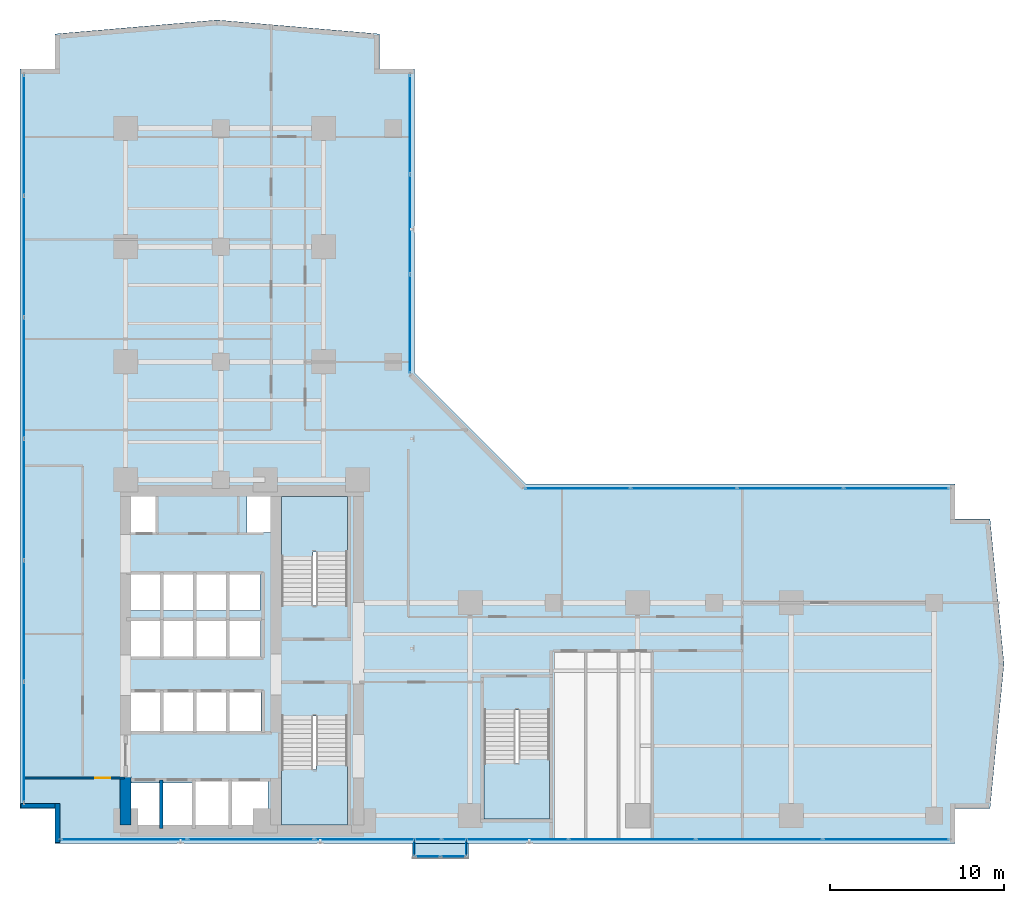
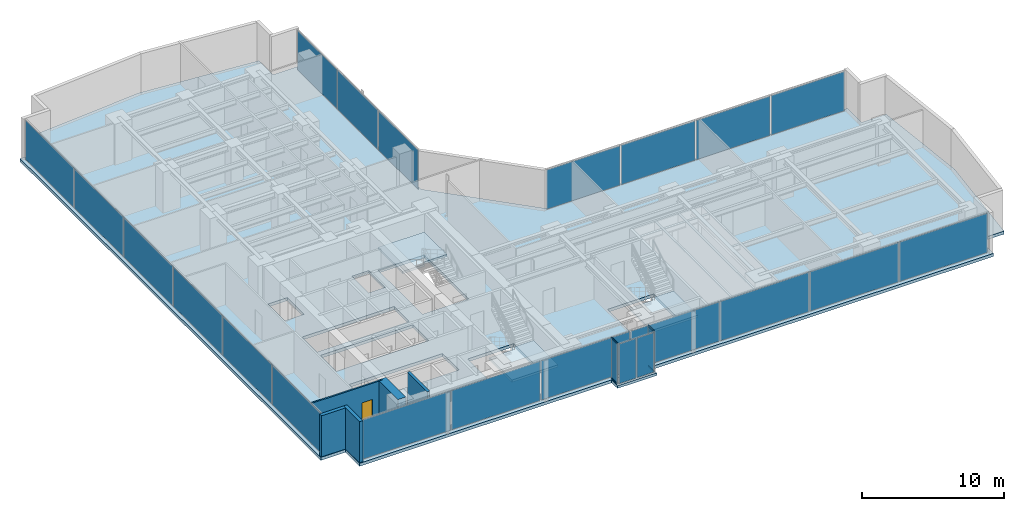
# One storey, part 18 of 24: 24 plates, 5 slabs, 5 walls, 4 members, 1 door, 1 opening, 10 elements without a shape of their own.
"""IFC4 building model written with IfcOpenShell, lengths in metres."""

from ifc_helpers import new_model, si_unit, direction, frame, frame_2d, origin, origin_with_axes, origin_2d, place, context, subcontext, project, spatial, polyline, rectangle, hollow_rectangle, outline, extrude, source, transform, mapped, material, layer, layer_set, material_profile, profile_set, type_object, element, fill, aggregate, save


model = new_model("IFC4")

# Units and contexts
model_context = context("Model", 3, precision=1e-05, world=origin(), true_north=direction((0.0, 1.0)))
body_context = subcontext(model_context, "Body", "Model", "MODEL_VIEW")
ifc_project = project(units=[si_unit("LENGTHUNIT", "METRE"), si_unit("AREAUNIT", "SQUARE_METRE"), si_unit("VOLUMEUNIT", "CUBIC_METRE"), si_unit("PLANEANGLEUNIT", "RADIAN"), si_unit("MASSUNIT", "GRAM", prefix="KILO")], contexts=[model_context])

# Site, building, storey
site_placement = place(None, origin())
site = spatial("IfcSite", under=ifc_project, at=site_placement, CompositionType="ELEMENT")
building_placement = place(site_placement, origin())
building = spatial("IfcBuilding", under=site, at=building_placement, Name="Kolvaren Waterfront Exchange", CompositionType="ELEMENT")
storey_placement = place(building_placement, frame((0.0, 0.0, 91.699951171875)))
storey = spatial("IfcBuildingStorey", under=building, at=storey_placement, Name="L23", CompositionType="ELEMENT", Elevation=91.699951171875)

# Curtain wall, members
ifc_material_1 = material(Name="Anodised bronze aluminium 6063-T6", Category="aluminium")
ifc_layer_1 = layer(ifc_material_1, 0.219970703125, Name="Anodised bronze aluminium 6063-T6")
ifc_layer_set_1 = layer_set([ifc_layer_1], Name="Anodised bronze aluminium 6063-T6")
curtain_wall_type_1 = type_object("IfcCurtainWallType", Name="ARC-CW-SYS3", PredefinedType="USERDEFINED", material=ifc_layer_set_1)
curtain_wall_1_placement = place(storey_placement, origin())
curtain_wall_1 = element("IfcCurtainWall", 1, at=curtain_wall_1_placement, inside=storey, type_object=curtain_wall_type_1, Name="L23 stick curtain wall CW3 (CW-L23-BOX-W)", ObjectType="STICK CURTAIN WALL", PredefinedType="USERDEFINED")
ifc_material_profile = material_profile(ifc_material_1, hollow_rectangle(XDim=0.06494140625, YDim=0.1298828125, WallThickness=0.00390625, at=origin_2d()), Name="ALU-TRN-130x65x4")
ifc_profile_set = profile_set([ifc_material_profile], Name="Anodised bronze aluminium 6063-T6")
member_type = type_object("IfcMemberType", Name="ARC-CWT-130", PredefinedType="USERDEFINED", material=ifc_profile_set)
shared_shape_1 = source(origin_with_axes(), body_context, "Body", "SweptSolid", [
    extrude(hollow_rectangle(XDim=0.06494140625, YDim=0.1298828125, WallThickness=0.00390625, at=origin_2d()), origin(), (0.0, 0.0, 1.0), 0.829833984375),
])
member_1_placement = place(storey_placement, frame((24.010009765625, 3.764892578125, 0.032470703125), z_axis=(0.0, -1.0, 0.0), x_axis=(1.0, 0.0, 0.0)))
member_1 = element("IfcMember", 2, at=member_1_placement, type_object=member_type, Name="CW3 transom 1.1", ObjectType="TRANSOM", PredefinedType="USERDEFINED", context=body_context, shape_type="MappedRepresentation", body=[
    mapped(shared_shape_1, transform((0.0, 0.0, 0.0), x_axis=(1.0, 0.0, 0.0), y_axis=(0.0, 1.0, 0.0), z_axis=(0.0, 0.0, 1.0), scale=1.0)),
])
member_2_placement = place(storey_placement, frame((24.010009765625, 3.764892578125, 3.507568359375), z_axis=(0.0, -1.0, 0.0), x_axis=(1.0, 0.0, 0.0)))
member_2 = element("IfcMember", 3, at=member_2_placement, type_object=member_type, Name="CW3 transom 1.2", ObjectType="TRANSOM", PredefinedType="USERDEFINED", context=body_context, shape_type="MappedRepresentation", body=[
    mapped(shared_shape_1, transform((0.0, 0.0, 0.0), x_axis=(1.0, 0.0, 0.0), y_axis=(0.0, 1.0, 0.0), z_axis=(0.0, 0.0, 1.0), scale=1.0)),
])

curtain_wall_2_placement = place(storey_placement, origin())
curtain_wall_2 = element("IfcCurtainWall", 4, at=curtain_wall_2_placement, inside=storey, type_object=curtain_wall_type_1, Name="L23 stick curtain wall CW3 (CW-L23-BOX-E)", ObjectType="STICK CURTAIN WALL", PredefinedType="USERDEFINED")
member_3_placement = place(storey_placement, frame((26.989990234375, 2.93505859375, 0.032470703125), z_axis=(0.0, 1.0, 0.0), x_axis=(-1.0, 0.0, 0.0)))
member_3 = element("IfcMember", 5, at=member_3_placement, type_object=member_type, Name="CW3 transom 1.1", ObjectType="TRANSOM", PredefinedType="USERDEFINED", context=body_context, shape_type="MappedRepresentation", body=[
    mapped(shared_shape_1, transform((0.0, 0.0, 0.0), x_axis=(1.0, 0.0, 0.0), y_axis=(0.0, 1.0, 0.0), z_axis=(0.0, 0.0, 1.0), scale=1.0)),
])
member_4_placement = place(storey_placement, frame((26.989990234375, 2.93505859375, 3.507568359375), z_axis=(0.0, 1.0, 0.0), x_axis=(-1.0, 0.0, 0.0)))
member_4 = element("IfcMember", 6, at=member_4_placement, type_object=member_type, Name="CW3 transom 1.2", ObjectType="TRANSOM", PredefinedType="USERDEFINED", context=body_context, shape_type="MappedRepresentation", body=[
    mapped(shared_shape_1, transform((0.0, 0.0, 0.0), x_axis=(1.0, 0.0, 0.0), y_axis=(0.0, 1.0, 0.0), z_axis=(0.0, 0.0, 1.0), scale=1.0)),
])

# Stair, slab
ifc_material_2 = material(Name="Concrete C40/50", Category="concrete")
stair_type = type_object("IfcStairType", Name="ARC-STAIR-3800", PredefinedType="HALF_TURN_STAIR", material=ifc_material_2)
stair_1_placement = place(storey_placement, origin())
stair_1 = element("IfcStair", 7, at=stair_1_placement, inside=storey, type_object=stair_type, Name="L23 Smoke-proof exit stair ST1", PredefinedType="HALF_TURN_STAIR")
ifc_layer_2 = layer(ifc_material_2, 0.199951171875, Name="Concrete C40/50")
ifc_layer_set_2 = layer_set([ifc_layer_2], Name="Concrete C40/50")
slab_type_1 = type_object("IfcSlabType", Name="STR-LANDING-200", PredefinedType="LANDING", material=ifc_layer_set_2)
slab_1_placement = place(storey_placement, frame((0.0, 0.0, 1.776123046875)))
slab_1 = element("IfcSlab", 8, at=slab_1_placement, type_object=slab_type_1, Name="ST1 landing 1", PredefinedType="LANDING", context=body_context, shape_type="SweptSolid", body=[
    extrude(outline(polyline([(16.39990234375, 7.840087890625), (16.39990234375, 4.64990234375), (20.159912109375, 4.64990234375), (20.159912109375, 8.10009765625), (18.360107421875, 8.10009765625), (18.360107421875, 7.840087890625), (16.39990234375, 7.840087890625)])), origin(), (0.0, 0.0, 1.0), 0.199951171875),
])
aggregate(stair_1, [slab_1])

stair_2_placement = place(storey_placement, origin())
stair_2 = element("IfcStair", 9, at=stair_2_placement, inside=storey, type_object=stair_type, Name="L23 Smoke-proof exit stair ST2", PredefinedType="HALF_TURN_STAIR")
slab_2_placement = place(storey_placement, frame((0.0, 0.0, 1.776123046875)))
slab_2 = element("IfcSlab", 10, at=slab_2_placement, type_object=slab_type_1, Name="ST2 landing 1", PredefinedType="LANDING", context=body_context, shape_type="SweptSolid", body=[
    extrude(outline(polyline([(20.159912109375, 20.31005859375), (20.159912109375, 23.5), (16.39990234375, 23.5), (16.39990234375, 20.050048828125), (18.199951171875, 20.050048828125), (18.199951171875, 20.31005859375), (20.159912109375, 20.31005859375)])), origin(), (0.0, 0.0, 1.0), 0.199951171875),
])
aggregate(stair_2, [slab_2])

stair_3_placement = place(storey_placement, origin())
stair_3 = element("IfcStair", 11, at=stair_3_placement, inside=storey, type_object=stair_type, Name="L23 Exit stair ST3", PredefinedType="HALF_TURN_STAIR")
slab_3_placement = place(storey_placement, frame((0.0, 0.0, 1.776123046875)))
slab_3 = element("IfcSlab", 12, at=slab_3_placement, type_object=slab_type_1, Name="ST3 landing 1", PredefinedType="LANDING", context=body_context, shape_type="SweptSolid", body=[
    extrude(outline(polyline([(28.0, 8.18994140625), (28.0, 5.0), (31.760009765625, 5.0), (31.760009765625, 8.449951171875), (29.9599609375, 8.449951171875), (29.9599609375, 8.18994140625), (28.0, 8.18994140625)])), origin(), (0.0, 0.0, 1.0), 0.199951171875),
])
aggregate(stair_3, [slab_3])

# Slabs
ifc_layer_3 = layer(ifc_material_2, 0.260009765625, Name="Concrete C40/50")
ifc_layer_set_3 = layer_set([ifc_layer_3], Name="Concrete C40/50")
slab_type_2 = type_object("IfcSlabType", Name="STR-SLAB-260", PredefinedType="FLOOR", material=ifc_layer_set_3)
slab_4_placement = place(storey_placement, frame((0.0, 0.0, -0.260009765625)))
element("IfcSlab", 13, at=slab_4_placement, inside=storey, type_object=slab_type_2, Name="L23 structural floor slab", PredefinedType="FLOOR", context=body_context, shape_type="SweptSolid", body=[
    extrude(outline(polyline([(3.39990234375, 3.60009765625), (55.0, 3.60009765625), (55.0, 5.60009765625), (57.0, 5.60009765625), (57.800048828125, 13.89990234375), (57.0, 22.199951171875), (55.0, 22.199951171875), (55.0, 24.199951171875), (30.39990234375, 24.199951171875), (24.0, 30.60009765625), (24.0, 48.0), (22.0, 48.0), (22.0, 50.0), (12.699951171875, 50.800048828125), (3.39990234375, 50.0), (3.39990234375, 48.0), (1.39990234375, 48.0), (1.39990234375, 5.60009765625), (3.39990234375, 5.60009765625), (3.39990234375, 3.60009765625)]), holes=[polyline([(11.320068359375, 7.260009765625), (15.610107421875, 7.260009765625), (15.610107421875, 4.5400390625), (7.719970703125, 4.5400390625), (7.719970703125, 7.06005859375), (11.320068359375, 7.06005859375), (11.320068359375, 7.260009765625)]), polyline([(20.159912109375, 4.64990234375), (16.39990234375, 4.64990234375), (16.39990234375, 10.89990234375), (20.159912109375, 10.89990234375), (20.159912109375, 4.64990234375)]), polyline([(31.760009765625, 5.0), (28.0, 5.0), (28.0, 11.25), (31.760009765625, 11.25), (31.760009765625, 5.0)]), polyline([(15.2099609375, 10.0400390625), (7.6201171875, 10.0400390625), (7.6201171875, 12.360107421875), (15.2099609375, 12.360107421875), (15.2099609375, 10.0400390625)]), polyline([(7.64501953125, 16.4599609375), (15.18505859375, 16.4599609375), (15.18505859375, 14.239990234375), (7.64501953125, 14.239990234375), (7.64501953125, 16.4599609375)]), polyline([(15.159912109375, 16.93994140625), (7.669921875, 16.93994140625), (7.669921875, 19.06005859375), (15.159912109375, 19.06005859375), (15.159912109375, 16.93994140625)]), polyline([(16.39990234375, 23.5), (20.159912109375, 23.5), (20.159912109375, 17.25), (16.39990234375, 17.25), (16.39990234375, 23.5)]), polyline([(7.60009765625, 23.780029296875), (9.179931640625, 23.780029296875), (9.179931640625, 21.419921875), (7.60009765625, 21.419921875), (7.60009765625, 23.780029296875)]), polyline([(15.800048828125, 23.780029296875), (15.800048828125, 21.419921875), (14.419921875, 21.419921875), (14.419921875, 23.780029296875), (15.800048828125, 23.780029296875)])]), origin(), (0.0, 0.0, 1.0), 0.260009765625),
])
ifc_layer_4 = layer(ifc_material_2, 0.219970703125, Name="Concrete C40/50")
ifc_layer_set_4 = layer_set([ifc_layer_4], Name="Concrete C40/50")
slab_type_3 = type_object("IfcSlabType", Name="STR-TERR-220", PredefinedType="FLOOR", material=ifc_layer_set_4)
slab_5_placement = place(storey_placement, frame((0.0, 0.0, -0.219970703125)))
element("IfcSlab", 14, at=slab_5_placement, inside=storey, type_object=slab_type_3, Name="L23 projecting bay-box floor strip", PredefinedType="FLOOR", context=body_context, shape_type="SweptSolid", body=[
    extrude(outline(polyline([(23.89990234375, 2.75), (27.10009765625, 2.75), (27.10009765625, 3.60009765625), (23.89990234375, 3.60009765625), (23.89990234375, 2.75)])), origin(), (0.0, 0.0, 1.0), 0.219970703125),
])

# Plate
ifc_material_3 = material(Name="Bronze tinted bay-box vision glass", Category="aluminium")
ifc_layer_5 = layer(ifc_material_3, 0.02392578125, Name="Bronze tinted bay-box vision glass")
ifc_layer_set_5 = layer_set([ifc_layer_5], Name="Bronze tinted bay-box vision glass")
plate_type_1 = type_object("IfcPlateType", Name="ARC-CWP-24", PredefinedType="CURTAIN_PANEL", material=ifc_layer_set_5)
shared_shape_2 = source(origin_with_axes(), body_context, "Body", "SweptSolid", [
    extrude(rectangle(XDim=0.830078125, YDim=0.02392578125, at=origin_2d()), origin(), (0.0, 0.0, 1.0), 3.409912109375),
])
plate_1_placement = place(storey_placement, frame((24.010009765625, 3.35009765625, 0.06494140625), z_axis=(0.0, 0.0, 1.0), x_axis=(0.0, -1.0, 0.0)))
plate_1 = element("IfcPlate", 15, at=plate_1_placement, type_object=plate_type_1, Name="CW3 panel 1.1", PredefinedType="CURTAIN_PANEL", context=body_context, shape_type="MappedRepresentation", body=[
    mapped(shared_shape_2, transform((0.0, 0.0, 0.0), x_axis=(1.0, 0.0, 0.0), y_axis=(0.0, 1.0, 0.0), z_axis=(0.0, 0.0, 1.0), scale=1.0)),
])

aggregate(curtain_wall_1, [member_1, member_2, plate_1])

plate_2_placement = place(storey_placement, frame((26.989990234375, 3.35009765625, 0.06494140625), z_axis=(0.0, 0.0, 1.0), x_axis=(0.0, 1.0, 0.0)))
plate_2 = element("IfcPlate", 16, at=plate_2_placement, type_object=plate_type_1, Name="CW3 panel 1.1", PredefinedType="CURTAIN_PANEL", context=body_context, shape_type="MappedRepresentation", body=[
    mapped(shared_shape_2, transform((0.0, 0.0, 0.0), x_axis=(1.0, 0.0, 0.0), y_axis=(0.0, 1.0, 0.0), z_axis=(0.0, 0.0, 1.0), scale=1.0)),
])

aggregate(curtain_wall_2, [member_3, member_4, plate_2])

# Curtain wall, plates
curtain_wall_3_placement = place(storey_placement, origin())
curtain_wall_3 = element("IfcCurtainWall", 17, at=curtain_wall_3_placement, inside=storey, type_object=curtain_wall_type_1, Name="L23 stick curtain wall CW3 (CW-L23-BOX)", ObjectType="STICK CURTAIN WALL", PredefinedType="USERDEFINED")
shared_shape_3 = source(origin_with_axes(), body_context, "Body", "SweptSolid", [
    extrude(rectangle(XDim=1.37744140625, YDim=0.02392578125, at=origin_2d()), origin(), (0.0, 0.0, 1.0), 3.409912109375),
])
plate_3_placement = place(storey_placement, frame((24.773681640625, 2.860107421875, 0.06494140625), z_axis=(0.0, 0.0, 1.0), x_axis=(1.0, 0.0, 0.0)))
plate_3 = element("IfcPlate", 18, at=plate_3_placement, type_object=plate_type_1, Name="CW3 panel 1.1", PredefinedType="CURTAIN_PANEL", context=body_context, shape_type="MappedRepresentation", body=[
    mapped(shared_shape_3, transform((0.0, 0.0, 0.0), x_axis=(1.0, 0.0, 0.0), y_axis=(0.0, 1.0, 0.0), z_axis=(0.0, 0.0, 1.0), scale=1.0)),
])
plate_4_placement = place(storey_placement, frame((26.226318359375, 2.860107421875, 0.06494140625), z_axis=(0.0, 0.0, 1.0), x_axis=(1.0, 0.0, 0.0)))
plate_4 = element("IfcPlate", 19, at=plate_4_placement, type_object=plate_type_1, Name="CW3 panel 2.1", PredefinedType="CURTAIN_PANEL", context=body_context, shape_type="MappedRepresentation", body=[
    mapped(shared_shape_3, transform((0.0, 0.0, 0.0), x_axis=(1.0, 0.0, 0.0), y_axis=(0.0, 1.0, 0.0), z_axis=(0.0, 0.0, 1.0), scale=1.0)),
])
aggregate(curtain_wall_3, [plate_3, plate_4])

ifc_material_4 = material(Name="Anodised aluminium 6063-T6", Category="aluminium")
ifc_layer_6 = layer(ifc_material_4, 0.219970703125, Name="Anodised aluminium 6063-T6")
ifc_layer_set_6 = layer_set([ifc_layer_6], Name="Anodised aluminium 6063-T6")
curtain_wall_type_2 = type_object("IfcCurtainWallType", Name="ARC-CW-SYS2", PredefinedType="USERDEFINED", material=ifc_layer_set_6)
curtain_wall_4_placement = place(storey_placement, origin())
curtain_wall_4 = element("IfcCurtainWall", 20, at=curtain_wall_4_placement, inside=storey, type_object=curtain_wall_type_2, Name="L23 stick curtain wall CW2 (CW-L23-W)", ObjectType="STICK CURTAIN WALL", PredefinedType="USERDEFINED")
ifc_material_5 = material(Name="Acoustic laminated vision glass", Category="glass")
ifc_layer_7 = layer(ifc_material_5, 0.031982421875, Name="Acoustic laminated vision glass")
ifc_layer_set_7 = layer_set([ifc_layer_7], Name="Acoustic laminated vision glass")
plate_type_2 = type_object("IfcPlateType", Name="ARC-CWP-32", PredefinedType="CURTAIN_PANEL", material=ifc_layer_set_7)
shared_shape_4 = source(origin_with_axes(), body_context, "Body", "SweptSolid", [
    extrude(rectangle(XDim=6.8466796875, YDim=0.031982421875, at=origin_2d()), origin(), (0.0, 0.0, 1.0), 3.389892578125),
])
plate_5_placement = place(storey_placement, frame((1.639892578125, 9.4033203125, 0.0751953125), z_axis=(0.0, 0.0, 1.0), x_axis=(0.0, 1.0, 0.0)))
plate_5 = element("IfcPlate", 21, at=plate_5_placement, type_object=plate_type_2, Name="CW2 panel 1.1", PredefinedType="CURTAIN_PANEL", context=body_context, shape_type="MappedRepresentation", body=[
    mapped(shared_shape_4, transform((0.0, 0.0, 0.0), x_axis=(1.0, 0.0, 0.0), y_axis=(0.0, 1.0, 0.0), z_axis=(0.0, 0.0, 1.0), scale=1.0)),
])
plate_6_placement = place(storey_placement, frame((1.639892578125, 44.19677734375, 0.0751953125), z_axis=(0.0, 0.0, 1.0), x_axis=(0.0, 1.0, 0.0)))
plate_6 = element("IfcPlate", 22, at=plate_6_placement, type_object=plate_type_2, Name="CW2 panel 6.1", PredefinedType="CURTAIN_PANEL", context=body_context, shape_type="MappedRepresentation", body=[
    mapped(shared_shape_4, transform((0.0, 0.0, 0.0), x_axis=(1.0, 0.0, 0.0), y_axis=(0.0, 1.0, 0.0), z_axis=(0.0, 0.0, 1.0), scale=1.0)),
])
shared_shape_5 = source(origin_with_axes(), body_context, "Body", "SweptSolid", [
    extrude(rectangle(XDim=6.88671875, YDim=0.031982421875, at=origin_2d()), origin(), (0.0, 0.0, 1.0), 3.389892578125),
])
plate_7_placement = place(storey_placement, frame((1.639892578125, 16.35009765625, 0.0751953125), z_axis=(0.0, 0.0, 1.0), x_axis=(0.0, 1.0, 0.0)))
plate_7 = element("IfcPlate", 23, at=plate_7_placement, type_object=plate_type_2, Name="CW2 panel 2.1", PredefinedType="CURTAIN_PANEL", context=body_context, shape_type="MappedRepresentation", body=[
    mapped(shared_shape_5, transform((0.0, 0.0, 0.0), x_axis=(1.0, 0.0, 0.0), y_axis=(0.0, 1.0, 0.0), z_axis=(0.0, 0.0, 1.0), scale=1.0)),
])
plate_8_placement = place(storey_placement, frame((1.639892578125, 23.316650390625, 0.0751953125), z_axis=(0.0, 0.0, 1.0), x_axis=(0.0, 1.0, 0.0)))
plate_8 = element("IfcPlate", 24, at=plate_8_placement, type_object=plate_type_2, Name="CW2 panel 3.1", PredefinedType="CURTAIN_PANEL", context=body_context, shape_type="MappedRepresentation", body=[
    mapped(shared_shape_5, transform((0.0, 0.0, 0.0), x_axis=(1.0, 0.0, 0.0), y_axis=(0.0, 1.0, 0.0), z_axis=(0.0, 0.0, 1.0), scale=1.0)),
])
plate_9_placement = place(storey_placement, frame((1.639892578125, 30.283447265625, 0.0751953125), z_axis=(0.0, 0.0, 1.0), x_axis=(0.0, 1.0, 0.0)))
plate_9 = element("IfcPlate", 25, at=plate_9_placement, type_object=plate_type_2, Name="CW2 panel 4.1", PredefinedType="CURTAIN_PANEL", context=body_context, shape_type="MappedRepresentation", body=[
    mapped(shared_shape_5, transform((0.0, 0.0, 0.0), x_axis=(1.0, 0.0, 0.0), y_axis=(0.0, 1.0, 0.0), z_axis=(0.0, 0.0, 1.0), scale=1.0)),
])
plate_10_placement = place(storey_placement, frame((1.639892578125, 37.25, 0.0751953125), z_axis=(0.0, 0.0, 1.0), x_axis=(0.0, 1.0, 0.0)))
plate_10 = element("IfcPlate", 26, at=plate_10_placement, type_object=plate_type_2, Name="CW2 panel 5.1", PredefinedType="CURTAIN_PANEL", context=body_context, shape_type="MappedRepresentation", body=[
    mapped(shared_shape_5, transform((0.0, 0.0, 0.0), x_axis=(1.0, 0.0, 0.0), y_axis=(0.0, 1.0, 0.0), z_axis=(0.0, 0.0, 1.0), scale=1.0)),
])
aggregate(curtain_wall_4, [plate_5, plate_7, plate_8, plate_9, plate_10, plate_6])

ifc_layer_8 = layer(ifc_material_1, 0.219970703125, Name="Anodised bronze aluminium 6063-T6")
ifc_layer_set_8 = layer_set([ifc_layer_8], Name="Anodised bronze aluminium 6063-T6")
curtain_wall_type_3 = type_object("IfcCurtainWallType", Name="ARC-CW-SYS1", PredefinedType="USERDEFINED", material=ifc_layer_set_8)
curtain_wall_5_placement = place(storey_placement, origin())
curtain_wall_5 = element("IfcCurtainWall", 27, at=curtain_wall_5_placement, inside=storey, type_object=curtain_wall_type_3, Name="L23 stick curtain wall CW1 (CW-L23-NE)", ObjectType="STICK CURTAIN WALL", PredefinedType="USERDEFINED")
ifc_material_6 = material(Name="Bronze solar control vision glass", Category="aluminium")
ifc_layer_9 = layer(ifc_material_6, 0.028076171875, Name="Bronze solar control vision glass")
ifc_layer_set_9 = layer_set([ifc_layer_9], Name="Bronze solar control vision glass")
plate_type_3 = type_object("IfcPlateType", Name="ARC-CWP-28", PredefinedType="CURTAIN_PANEL", material=ifc_layer_set_9)
shared_shape_6 = source(origin_with_axes(), body_context, "Body", "SweptSolid", [
    extrude(rectangle(XDim=5.61669921875, YDim=0.028076171875, at=origin_2d()), origin(), (0.0, 0.0, 1.0), 3.389892578125),
])
plate_11_placement = place(storey_placement, frame((23.760009765625, 33.37841796875, 0.0751953125), z_axis=(0.0, 0.0, 1.0), x_axis=(0.0, 1.0, 0.0)))
plate_11 = element("IfcPlate", 28, at=plate_11_placement, type_object=plate_type_3, Name="CW1 panel 1.1", PredefinedType="CURTAIN_PANEL", context=body_context, shape_type="MappedRepresentation", body=[
    mapped(shared_shape_6, transform((0.0, 0.0, 0.0), x_axis=(1.0, 0.0, 0.0), y_axis=(0.0, 1.0, 0.0), z_axis=(0.0, 0.0, 1.0), scale=1.0)),
])
plate_12_placement = place(storey_placement, frame((23.760009765625, 44.811767578125, 0.0751953125), z_axis=(0.0, 0.0, 1.0), x_axis=(0.0, 1.0, 0.0)))
plate_12 = element("IfcPlate", 29, at=plate_12_placement, type_object=plate_type_3, Name="CW1 panel 3.1", PredefinedType="CURTAIN_PANEL", context=body_context, shape_type="MappedRepresentation", body=[
    mapped(shared_shape_6, transform((0.0, 0.0, 0.0), x_axis=(1.0, 0.0, 0.0), y_axis=(0.0, 1.0, 0.0), z_axis=(0.0, 0.0, 1.0), scale=1.0)),
])
shared_shape_7 = source(origin_with_axes(), body_context, "Body", "SweptSolid", [
    extrude(rectangle(XDim=5.65673828125, YDim=0.028076171875, at=origin_2d()), origin(), (0.0, 0.0, 1.0), 3.389892578125),
])
plate_13_placement = place(storey_placement, frame((23.760009765625, 39.094970703125, 0.0751953125), z_axis=(0.0, 0.0, 1.0), x_axis=(0.0, 1.0, 0.0)))
plate_13 = element("IfcPlate", 30, at=plate_13_placement, type_object=plate_type_3, Name="CW1 panel 2.1", PredefinedType="CURTAIN_PANEL", context=body_context, shape_type="MappedRepresentation", body=[
    mapped(shared_shape_7, transform((0.0, 0.0, 0.0), x_axis=(1.0, 0.0, 0.0), y_axis=(0.0, 1.0, 0.0), z_axis=(0.0, 0.0, 1.0), scale=1.0)),
])
aggregate(curtain_wall_5, [plate_11, plate_13, plate_12])

curtain_wall_6_placement = place(storey_placement, origin())
curtain_wall_6 = element("IfcCurtainWall", 31, at=curtain_wall_6_placement, inside=storey, type_object=curtain_wall_type_3, Name="L23 stick curtain wall CW1 (CW-L23-EN)", ObjectType="STICK CURTAIN WALL", PredefinedType="USERDEFINED")
shared_shape_8 = source(origin_with_axes(), body_context, "Body", "SweptSolid", [
    extrude(rectangle(XDim=5.982421875, YDim=0.028076171875, at=origin_2d()), origin(), (0.0, 0.0, 1.0), 3.389892578125),
])
plate_14_placement = place(storey_placement, frame((33.361328125, 23.9599609375, 0.0751953125), z_axis=(0.0, 0.0, 1.0), x_axis=(1.0, 0.0, 0.0)))
plate_14 = element("IfcPlate", 32, at=plate_14_placement, type_object=plate_type_3, Name="CW1 panel 1.1", PredefinedType="CURTAIN_PANEL", context=body_context, shape_type="MappedRepresentation", body=[
    mapped(shared_shape_8, transform((0.0, 0.0, 0.0), x_axis=(1.0, 0.0, 0.0), y_axis=(0.0, 1.0, 0.0), z_axis=(0.0, 0.0, 1.0), scale=1.0)),
])
plate_15_placement = place(storey_placement, frame((51.628662109375, 23.9599609375, 0.0751953125), z_axis=(0.0, 0.0, 1.0), x_axis=(1.0, 0.0, 0.0)))
plate_15 = element("IfcPlate", 33, at=plate_15_placement, type_object=plate_type_3, Name="CW1 panel 4.1", PredefinedType="CURTAIN_PANEL", context=body_context, shape_type="MappedRepresentation", body=[
    mapped(shared_shape_8, transform((0.0, 0.0, 0.0), x_axis=(1.0, 0.0, 0.0), y_axis=(0.0, 1.0, 0.0), z_axis=(0.0, 0.0, 1.0), scale=1.0)),
])
shared_shape_9 = source(origin_with_axes(), body_context, "Body", "SweptSolid", [
    extrude(rectangle(XDim=6.0224609375, YDim=0.028076171875, at=origin_2d()), origin(), (0.0, 0.0, 1.0), 3.389892578125),
])
plate_16_placement = place(storey_placement, frame((39.44384765625, 23.9599609375, 0.0751953125), z_axis=(0.0, 0.0, 1.0), x_axis=(1.0, 0.0, 0.0)))
plate_16 = element("IfcPlate", 34, at=plate_16_placement, type_object=plate_type_3, Name="CW1 panel 2.1", PredefinedType="CURTAIN_PANEL", context=body_context, shape_type="MappedRepresentation", body=[
    mapped(shared_shape_9, transform((0.0, 0.0, 0.0), x_axis=(1.0, 0.0, 0.0), y_axis=(0.0, 1.0, 0.0), z_axis=(0.0, 0.0, 1.0), scale=1.0)),
])
plate_17_placement = place(storey_placement, frame((45.546142578125, 23.9599609375, 0.0751953125), z_axis=(0.0, 0.0, 1.0), x_axis=(1.0, 0.0, 0.0)))
plate_17 = element("IfcPlate", 35, at=plate_17_placement, type_object=plate_type_3, Name="CW1 panel 3.1", PredefinedType="CURTAIN_PANEL", context=body_context, shape_type="MappedRepresentation", body=[
    mapped(shared_shape_9, transform((0.0, 0.0, 0.0), x_axis=(1.0, 0.0, 0.0), y_axis=(0.0, 1.0, 0.0), z_axis=(0.0, 0.0, 1.0), scale=1.0)),
])
aggregate(curtain_wall_6, [plate_14, plate_16, plate_17, plate_15])

curtain_wall_7_placement = place(storey_placement, origin())
curtain_wall_7 = element("IfcCurtainWall", 36, at=curtain_wall_7_placement, inside=storey, type_object=curtain_wall_type_3, Name="L23 stick curtain wall CW1 (CW-L23-S)", ObjectType="STICK CURTAIN WALL", PredefinedType="USERDEFINED")
shared_shape_10 = source(origin_with_axes(), body_context, "Body", "SweptSolid", [
    extrude(rectangle(XDim=7.165771484375, YDim=0.028076171875, at=origin_2d()), origin(), (0.0, 0.0, 1.0), 3.389892578125),
])
plate_18_placement = place(storey_placement, frame((7.36279296875, 3.840087890625, 0.0751953125), z_axis=(0.0, 0.0, 1.0), x_axis=(1.0, 0.0, 0.0)))
plate_18 = element("IfcPlate", 37, at=plate_18_placement, type_object=plate_type_3, Name="CW1 panel 1.1", PredefinedType="CURTAIN_PANEL", context=body_context, shape_type="MappedRepresentation", body=[
    mapped(shared_shape_10, transform((0.0, 0.0, 0.0), x_axis=(1.0, 0.0, 0.0), y_axis=(0.0, 1.0, 0.0), z_axis=(0.0, 0.0, 1.0), scale=1.0)),
])
plate_19_placement = place(storey_placement, frame((51.037109375, 3.840087890625, 0.0751953125), z_axis=(0.0, 0.0, 1.0), x_axis=(1.0, 0.0, 0.0)))
plate_19 = element("IfcPlate", 38, at=plate_19_placement, type_object=plate_type_3, Name="CW1 panel 7.1", PredefinedType="CURTAIN_PANEL", context=body_context, shape_type="MappedRepresentation", body=[
    mapped(shared_shape_10, transform((0.0, 0.0, 0.0), x_axis=(1.0, 0.0, 0.0), y_axis=(0.0, 1.0, 0.0), z_axis=(0.0, 0.0, 1.0), scale=1.0)),
])
shared_shape_11 = source(origin_with_axes(), body_context, "Body", "SweptSolid", [
    extrude(rectangle(XDim=7.205810546875, YDim=0.028076171875, at=origin_2d()), origin(), (0.0, 0.0, 1.0), 3.389892578125),
])
plate_20_placement = place(storey_placement, frame((14.628662109375, 3.840087890625, 0.0751953125), z_axis=(0.0, 0.0, 1.0), x_axis=(1.0, 0.0, 0.0)))
plate_20 = element("IfcPlate", 39, at=plate_20_placement, type_object=plate_type_3, Name="CW1 panel 2.1", PredefinedType="CURTAIN_PANEL", context=body_context, shape_type="MappedRepresentation", body=[
    mapped(shared_shape_11, transform((0.0, 0.0, 0.0), x_axis=(1.0, 0.0, 0.0), y_axis=(0.0, 1.0, 0.0), z_axis=(0.0, 0.0, 1.0), scale=1.0)),
])
plate_21_placement = place(storey_placement, frame((21.914306640625, 3.840087890625, 0.0751953125), z_axis=(0.0, 0.0, 1.0), x_axis=(1.0, 0.0, 0.0)))
plate_21 = element("IfcPlate", 40, at=plate_21_placement, type_object=plate_type_3, Name="CW1 panel 3.1", PredefinedType="CURTAIN_PANEL", context=body_context, shape_type="MappedRepresentation", body=[
    mapped(shared_shape_11, transform((0.0, 0.0, 0.0), x_axis=(1.0, 0.0, 0.0), y_axis=(0.0, 1.0, 0.0), z_axis=(0.0, 0.0, 1.0), scale=1.0)),
])
plate_22_placement = place(storey_placement, frame((29.199951171875, 3.840087890625, 0.0751953125), z_axis=(0.0, 0.0, 1.0), x_axis=(1.0, 0.0, 0.0)))
plate_22 = element("IfcPlate", 41, at=plate_22_placement, type_object=plate_type_3, Name="CW1 panel 4.1", PredefinedType="CURTAIN_PANEL", context=body_context, shape_type="MappedRepresentation", body=[
    mapped(shared_shape_11, transform((0.0, 0.0, 0.0), x_axis=(1.0, 0.0, 0.0), y_axis=(0.0, 1.0, 0.0), z_axis=(0.0, 0.0, 1.0), scale=1.0)),
])
plate_23_placement = place(storey_placement, frame((36.485595703125, 3.840087890625, 0.0751953125), z_axis=(0.0, 0.0, 1.0), x_axis=(1.0, 0.0, 0.0)))
plate_23 = element("IfcPlate", 42, at=plate_23_placement, type_object=plate_type_3, Name="CW1 panel 5.1", PredefinedType="CURTAIN_PANEL", context=body_context, shape_type="MappedRepresentation", body=[
    mapped(shared_shape_11, transform((0.0, 0.0, 0.0), x_axis=(1.0, 0.0, 0.0), y_axis=(0.0, 1.0, 0.0), z_axis=(0.0, 0.0, 1.0), scale=1.0)),
])
plate_24_placement = place(storey_placement, frame((43.771484375, 3.840087890625, 0.0751953125), z_axis=(0.0, 0.0, 1.0), x_axis=(1.0, 0.0, 0.0)))
plate_24 = element("IfcPlate", 43, at=plate_24_placement, type_object=plate_type_3, Name="CW1 panel 6.1", PredefinedType="CURTAIN_PANEL", context=body_context, shape_type="MappedRepresentation", body=[
    mapped(shared_shape_11, transform((0.0, 0.0, 0.0), x_axis=(1.0, 0.0, 0.0), y_axis=(0.0, 1.0, 0.0), z_axis=(0.0, 0.0, 1.0), scale=1.0)),
])
aggregate(curtain_wall_7, [plate_18, plate_20, plate_21, plate_22, plate_23, plate_24, plate_19])

# Walls
ifc_material_7 = material(Name="Precast concrete C40/50", Category="concrete")
ifc_layer_10 = layer(ifc_material_7, 0.280029296875, Name="Precast concrete C40/50")
ifc_layer_set_10 = layer_set([ifc_layer_10], Name="Precast concrete C40/50")
wall_type_1 = type_object("IfcWallType", Name="ARC-EXT-TERR-280", PredefinedType="SOLIDWALL", material=ifc_layer_set_10)
wall_1_placement = place(storey_placement, frame((3.56005859375, 3.659912109375, 0.0), z_axis=(0.0, 0.0, 1.0), x_axis=(0.0, 1.0, 0.0)))
element("IfcWall", 44, at=wall_1_placement, inside=storey, type_object=wall_type_1, Name="L23 notched corner spandrel pier SW-A", PredefinedType="SOLIDWALL", context=body_context, shape_type="SweptSolid", body=[
    extrude(rectangle(XDim=2.239990234375, YDim=0.280029296875, at=frame_2d((1.1201171875, 0.0))), origin(), (0.0, 0.0, 1.0), 3.5400390625),
])
wall_2_placement = place(storey_placement, frame((1.4599609375, 5.760009765625, 0.0), z_axis=(0.0, 0.0, 1.0), x_axis=(1.0, 0.0, 0.0)))
element("IfcWall", 45, at=wall_2_placement, inside=storey, type_object=wall_type_1, Name="L23 notched corner spandrel pier SW-B", PredefinedType="SOLIDWALL", context=body_context, shape_type="SweptSolid", body=[
    extrude(rectangle(XDim=1.9599609375, YDim=0.280029296875, at=frame_2d((0.97998046875, 0.0))), origin(), (0.0, 0.0, 1.0), 3.5400390625),
])

# Wall, opening, door
ifc_material_8 = material(Name="Acoustic gypsum steel stud", Category="steel")
ifc_layer_11 = layer(ifc_material_8, 0.125, Name="Acoustic gypsum steel stud")
ifc_layer_set_11 = layer_set([ifc_layer_11], Name="Acoustic gypsum steel stud")
wall_type_2 = type_object("IfcWallType", Name="ARC-PART-125", PredefinedType="PARTITIONING", material=ifc_layer_set_11)
wall_3_placement = place(storey_placement, frame((1.639892578125, 7.35009765625, 0.0), z_axis=(0.0, 0.0, 1.0), x_axis=(1.0, 0.0, 0.0)))
wall_3 = element("IfcWall", 46, at=wall_3_placement, inside=storey, type_object=wall_type_2, Name="L23 interior wall PW-L23-SWC-N", PredefinedType="PARTITIONING", context=body_context, shape_type="SweptSolid", body=[
    extrude(rectangle(XDim=5.760009765625, YDim=0.125, at=frame_2d((2.8798828125, 0.0))), origin(), (0.0, 0.0, 1.0), 3.5400390625),
])
opening_placement = place(wall_3_placement, frame((4.086669921875, 0.0, 0.0)))
opening = element("IfcOpeningElement", 47, at=opening_placement, cuts=wall_3, Name="Opening D01", PredefinedType="OPENING", context=body_context, shape_type="SweptSolid", body=[
    extrude(rectangle(XDim=0.85009765625, YDim=2.14990234375, at=frame_2d((0.425048828125, 1.074951171875))), frame((0.0, 0.072509765625, 0.0), z_axis=(0.0, -1.0, 0.0), x_axis=(1.0, 0.0, 0.0)), (0.0, 0.0, 1.0), 0.14501953125),
])
ifc_material_9 = material(Name="Oak veneer timber leaf", Category="wood")
door_type = type_object("IfcDoorType", Name="ARC-DR-900", OperationType="NOTDEFINED", PredefinedType="DOOR", material=ifc_material_9)
door_placement = place(opening_placement, origin())
door = element("IfcDoor", 48, at=door_placement, inside=storey, type_object=door_type, Name="L23 door DR-L23-SWC-D (D01)", OperationType="SINGLE_SWING_RIGHT", OverallHeight=2.14990234375, OverallWidth=0.85009765625, PredefinedType="DOOR", context=body_context, shape_type="SweptSolid", body=[
    extrude(rectangle(XDim=0.85009765625, YDim=2.14990234375, at=frame_2d((0.425048828125, 1.074951171875))), frame((0.0, 0.02490234375, 0.0), z_axis=(0.0, -1.0, 0.0), x_axis=(1.0, 0.0, 0.0)), (0.0, 0.0, 1.0), 0.050048828125),
])
fill(opening, door)

# Walls
ifc_layer_12 = layer(ifc_material_2, 0.199951171875, Name="Concrete C40/50")
ifc_layer_set_12 = layer_set([ifc_layer_12], Name="Concrete C40/50")
wall_type_3 = type_object("IfcWallType", Name="ARC-SHAFT-200", PredefinedType="PARTITIONING", material=ifc_layer_set_12)
wall_4_placement = place(storey_placement, frame((9.5, 4.449951171875, 0.0), z_axis=(0.0, 0.0, 1.0), x_axis=(0.0, 1.0, 0.0)))
element("IfcWall", 49, at=wall_4_placement, inside=storey, type_object=wall_type_3, Name="L23 interior wall PW-L23-SH1-DIV-95", PredefinedType="PARTITIONING", context=body_context, shape_type="SweptSolid", body=[
    extrude(rectangle(XDim=2.800048828125, YDim=0.199951171875, at=frame_2d((1.39990234375, 0.0))), origin(), (0.0, 0.0, 1.0), 3.5400390625),
])
ifc_material_10 = material(Name="Concrete C60/75", Category="concrete")
ifc_layer_13 = layer(ifc_material_10, 0.64990234375, Name="Concrete C60/75")
ifc_layer_set_13 = layer_set([ifc_layer_13], Name="Concrete C60/75")
wall_type_4 = type_object("IfcWallType", Name="STR-CWALL-650", PredefinedType="SHEAR", material=ifc_layer_set_13)
wall_5_placement = place(storey_placement, frame((7.449951171875, 4.64990234375, 0.0), z_axis=(0.0, 0.0, 1.0), x_axis=(0.0, 1.0, 0.0)))
element("IfcWall", 50, at=wall_5_placement, inside=storey, type_object=wall_type_4, Name="L23 rear-core shear wall W1", PredefinedType="SHEAR", context=body_context, shape_type="SweptSolid", body=[
    extrude(rectangle(XDim=2.800048828125, YDim=0.64990234375, at=frame_2d((1.39990234375, 0.0))), origin(), (0.0, 0.0, 1.0), 3.5400390625),
])

save(model, "model.ifc")
